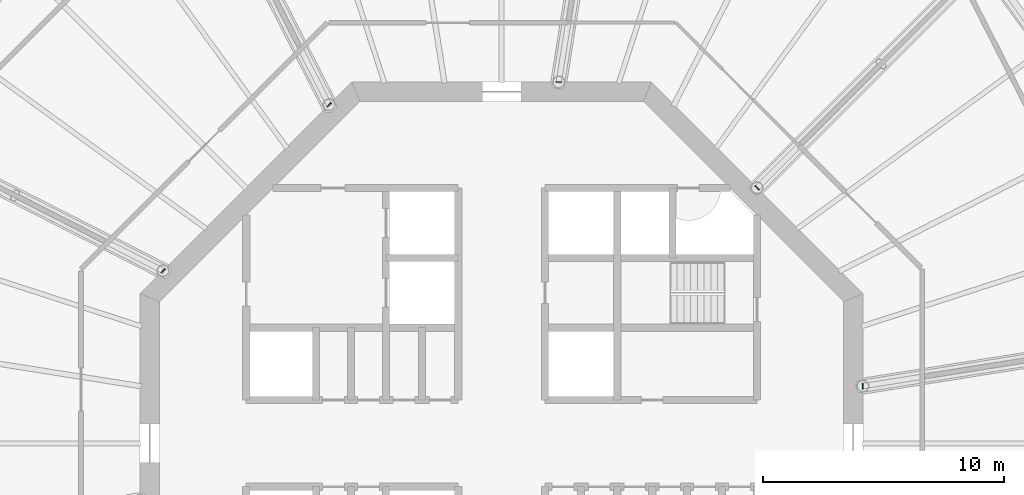
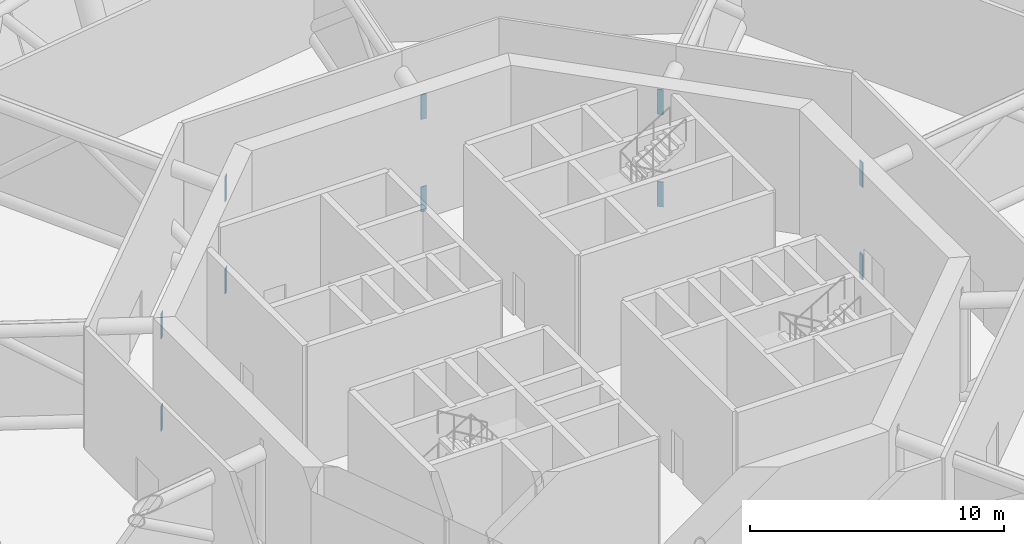
# One storey, part 12 of 20: 10 discrete accessories.
"""IFC4 building model written with IfcOpenShell, lengths in metres."""

from ifc_helpers import new_model, si_unit, direction, frame, origin, origin_2d, place, context, subcontext, project, spatial, rectangle, extrude, material, element, save


model = new_model("IFC4")

# Units and contexts
model_context = context("Model", 3, precision=1e-05, world=origin(), true_north=direction((0.0, 1.0)))
body_context = subcontext(model_context, "Body", "Model", "MODEL_VIEW")
ifc_project = project(units=[si_unit("LENGTHUNIT", "METRE"), si_unit("AREAUNIT", "SQUARE_METRE"), si_unit("VOLUMEUNIT", "CUBIC_METRE"), si_unit("PLANEANGLEUNIT", "RADIAN"), si_unit("MASSUNIT", "GRAM", prefix="KILO")], contexts=[model_context])

# Site, building, storey
site_placement = place(None, origin())
site = spatial("IfcSite", under=ifc_project, at=site_placement, CompositionType="ELEMENT")
building_placement = place(site_placement, origin())
building = spatial("IfcBuilding", under=site, at=building_placement, Name="Entoto Ring Tower", CompositionType="ELEMENT")
storey_placement = place(building_placement, frame((0.0, 0.0, 330.0)))
storey = spatial("IfcBuildingStorey", under=building, at=storey_placement, Name="L76", CompositionType="ELEMENT", Elevation=330.0)

# Discrete accessories
ifc_material = material(Name="Steel S355", Category="steel")
for number, where, z_axis, x_axis, name in (
    (1, (105.0, 82.375732421875, -0.27001953125), (0.0, 0.0, 1.0), (1.0, 0.0, 0.0), "Embedded plate L76 bottom 01"),
    (2, (105.0, 82.375732421875, 4.1669921875), (0.0, 0.0, 1.0), (1.0, 0.0, 0.0), "Embedded plate L76 top 01"),
    (3, (100.606689453125, 90.606689453125, -0.27001953125), (0.0, 0.0, 1.0), (0.707106781187, 0.707106781187, 0.0), "Embedded plate L76 bottom 02"),
    (4, (100.606689453125, 90.606689453125, 4.1669921875), (0.0, 0.0, 1.0), (0.707106781187, 0.707106781187, 0.0), "Embedded plate L76 top 02"),
    (5, (92.375732421875, 95.0, -0.27001953125), (0.0, 0.0, 1.0), (0.0, 1.0, 0.0), "Embedded plate L76 bottom 03"),
    (6, (92.375732421875, 95.0, 4.1669921875), (0.0, 0.0, 1.0), (0.0, 1.0, 0.0), "Embedded plate L76 top 03"),
    (7, (82.839599609375, 94.052978515625, -0.27001953125), (0.0, 0.0, 1.0), (-0.707106781187, 0.707106781187, 0.0), "Embedded plate L76 bottom 04"),
    (8, (82.839599609375, 94.052978515625, 4.1669921875), (0.0, 0.0, 1.0), (-0.707106781187, 0.707106781187, 0.0), "Embedded plate L76 top 04"),
    (9, (75.947021484375, 87.160400390625, -0.27001953125), (0.0, 0.0, 1.0), (-0.707106781187, 0.707106781187, 0.0), "Embedded plate L76 bottom 05"),
    (10, (75.947021484375, 87.160400390625, 4.1669921875), (0.0, 0.0, 1.0), (-0.707106781187, 0.707106781187, 0.0), "Embedded plate L76 top 05"),
):
    element("IfcDiscreteAccessory", number, at=place(storey_placement, frame(where, z_axis=z_axis, x_axis=x_axis)), inside=storey, material=ifc_material, Name=name, PredefinedType="ANCHORPLATE", context=body_context, shape_type="SweptSolid", body=[
        extrude(rectangle(XDim=0.0400390625, YDim=0.25, at=origin_2d()), origin(), (0.0, 0.0, 1.0), 1.199951171875),
    ])

save(model, "model.ifc")
